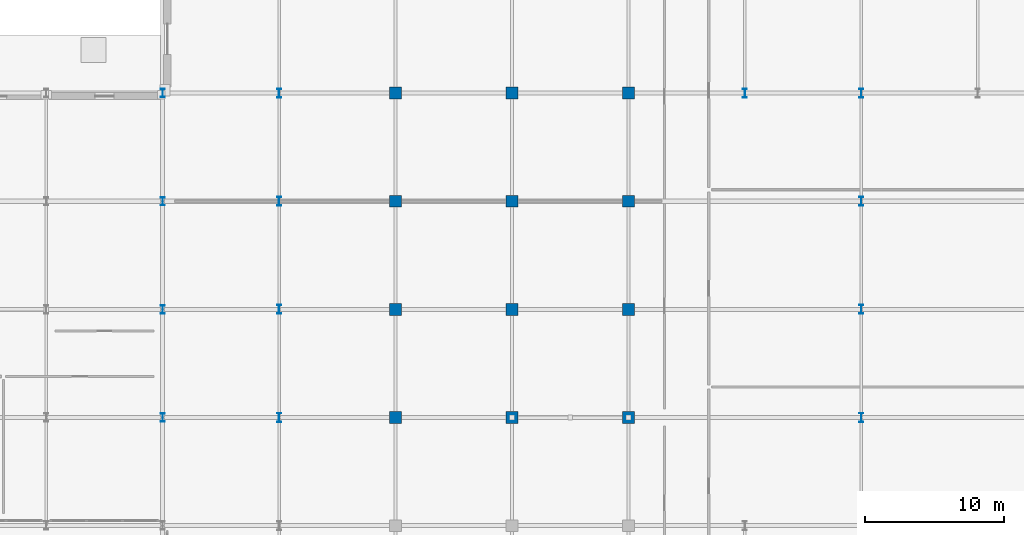
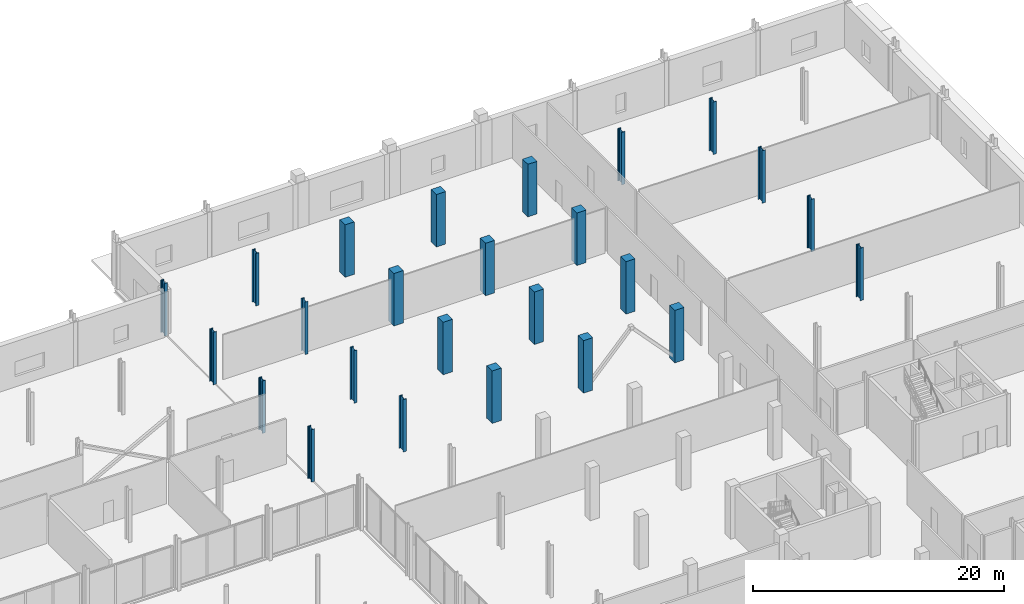
# One storey, part 17 of 80: 25 columns.
"""IFC4 building model written with IfcOpenShell, lengths in metres."""

from ifc_helpers import new_model, si_unit, direction, frame, origin, origin_2d, place, context, subcontext, project, spatial, rectangle, i_section, extrude, material, material_profile, profile_set, type_object, element, save


model = new_model("IFC4")

# Units and contexts
model_context = context("Model", 3, precision=1e-05, world=origin(), true_north=direction((0.0, 1.0)))
body_context = subcontext(model_context, "Body", "Model", "MODEL_VIEW")
ifc_project = project(units=[si_unit("LENGTHUNIT", "METRE"), si_unit("AREAUNIT", "SQUARE_METRE"), si_unit("VOLUMEUNIT", "CUBIC_METRE"), si_unit("PLANEANGLEUNIT", "RADIAN"), si_unit("MASSUNIT", "GRAM", prefix="KILO")], contexts=[model_context])

# Site, building, storey
site_placement = place(None, origin())
site = spatial("IfcSite", under=ifc_project, at=site_placement, CompositionType="ELEMENT")
building_placement = place(site_placement, origin())
building = spatial("IfcBuilding", under=site, at=building_placement, Name="Nabrawat Pavilion Hospital", CompositionType="ELEMENT")
storey_placement = place(building_placement, origin())
storey = spatial("IfcBuildingStorey", under=building, at=storey_placement, Name="L00", CompositionType="ELEMENT", Elevation=0.0)

# Columns
ifc_material_1 = material(Name="Steel S355", Category="steel")
ifc_material_profile_1 = material_profile(ifc_material_1, i_section(OverallWidth=0.300048828125, OverallDepth=0.60009765625, WebThickness=0.015380859375, FlangeThickness=0.030029296875, FilletRadius=0.027099609375, at=origin_2d()), Name="HEB 600")
ifc_profile_set_1 = profile_set([ifc_material_profile_1], Name="Steel S355")
column_type_1 = type_object("IfcColumnType", Name="Composite Steel Column HEB 600", PredefinedType="COLUMN", material=ifc_profile_set_1)
for number, where, z_axis, x_axis, name in (
    (1, (126.0, 93.60009765625, 0.0), (0.0, 0.0, 1.0), (1.0, 0.0, 0.0), "L00 Structural Column G-16A-N"),
    (2, (126.0, 101.39990234375, 0.0), (0.0, 0.0, 1.0), (1.0, 0.0, 0.0), "L00 Structural Column G-16A-P"),
    (3, (126.0, 109.199951171875, 0.0), (0.0, 0.0, 1.0), (1.0, 0.0, 0.0), "L00 Structural Column G-16A-Q"),
    (4, (126.0, 117.0, 0.0), (0.0, 0.0, 1.0), (1.0, 0.0, 0.0), "L00 Structural Column G-16A-R"),
):
    element("IfcColumn", number, at=place(storey_placement, frame(where, z_axis=z_axis, x_axis=x_axis)), inside=storey, type_object=column_type_1, Name=name, PredefinedType="COLUMN", context=body_context, shape_type="SweptSolid", body=[
        extrude(i_section(OverallWidth=0.300048828125, OverallDepth=0.60009765625, WebThickness=0.015380859375, FlangeThickness=0.030029296875, FilletRadius=0.027099609375, at=origin_2d()), origin(), (0.0, 0.0, 1.0), 5.10009765625),
    ])
ifc_material_profile_2 = material_profile(ifc_material_1, i_section(OverallWidth=0.300048828125, OverallDepth=0.64990234375, WebThickness=0.01611328125, FlangeThickness=0.031005859375, FilletRadius=0.027099609375, at=origin_2d()), Name="HEB 650")
ifc_profile_set_2 = profile_set([ifc_material_profile_2], Name="Steel S355")
column_type_2 = type_object("IfcColumnType", Name="Heavy Composite Steel Column HEB 650", PredefinedType="COLUMN", material=ifc_profile_set_2)
for number, where, z_axis, x_axis, name in (
    (5, (134.39990234375, 93.60009765625, 0.0), (0.0, 0.0, 1.0), (1.0, 0.0, 0.0), "L00 Structural Column G-17-N"),
    (6, (134.39990234375, 101.39990234375, 0.0), (0.0, 0.0, 1.0), (1.0, 0.0, 0.0), "L00 Structural Column G-17-P"),
    (7, (134.39990234375, 109.199951171875, 0.0), (0.0, 0.0, 1.0), (1.0, 0.0, 0.0), "L00 Structural Column G-17-Q"),
    (8, (134.39990234375, 117.0, 0.0), (0.0, 0.0, 1.0), (1.0, 0.0, 0.0), "L00 Structural Column G-17-R"),
    (9, (168.0, 117.0, 0.0), (0.0, 0.0, 1.0), (1.0, 0.0, 0.0), "L00 Structural Column G-21-R"),
    (10, (176.39990234375, 93.60009765625, 0.0), (0.0, 0.0, 1.0), (1.0, 0.0, 0.0), "L00 Structural Column G-22-N"),
    (11, (176.39990234375, 101.39990234375, 0.0), (0.0, 0.0, 1.0), (1.0, 0.0, 0.0), "L00 Structural Column G-22-P"),
    (12, (176.39990234375, 109.199951171875, 0.0), (0.0, 0.0, 1.0), (1.0, 0.0, 0.0), "L00 Structural Column G-22-Q"),
    (13, (176.39990234375, 117.0, 0.0), (0.0, 0.0, 1.0), (1.0, 0.0, 0.0), "L00 Structural Column G-22-R"),
):
    element("IfcColumn", number, at=place(storey_placement, frame(where, z_axis=z_axis, x_axis=x_axis)), inside=storey, type_object=column_type_2, Name=name, PredefinedType="COLUMN", context=body_context, shape_type="SweptSolid", body=[
        extrude(i_section(OverallWidth=0.300048828125, OverallDepth=0.64990234375, WebThickness=0.01611328125, FlangeThickness=0.031005859375, FilletRadius=0.027099609375, at=origin_2d()), origin(), (0.0, 0.0, 1.0), 5.10009765625),
    ])
ifc_material_2 = material(Name="Concrete C40/50", Category="concrete")
ifc_material_profile_3 = material_profile(ifc_material_2, rectangle(XDim=0.85009765625, YDim=0.85009765625, at=origin_2d()), Name="RC 850x850")
ifc_profile_set_3 = profile_set([ifc_material_profile_3], Name="Concrete C40/50")
column_type_3 = type_object("IfcColumnType", Name="Lower Ward RC Column 850x850", PredefinedType="COLUMN", material=ifc_profile_set_3)
for number, where, z_axis, x_axis, name in (
    (14, (142.800048828125, 93.60009765625, 0.0), (0.0, 0.0, 1.0), (1.0, 0.0, 0.0), "L00 Structural Column G-18-N"),
    (15, (142.800048828125, 101.39990234375, 0.0), (0.0, 0.0, 1.0), (1.0, 0.0, 0.0), "L00 Structural Column G-18-P"),
    (16, (142.800048828125, 109.199951171875, 0.0), (0.0, 0.0, 1.0), (1.0, 0.0, 0.0), "L00 Structural Column G-18-Q"),
    (17, (142.800048828125, 117.0, 0.0), (0.0, 0.0, 1.0), (1.0, 0.0, 0.0), "L00 Structural Column G-18-R"),
    (18, (151.199951171875, 93.60009765625, 0.0), (0.0, 0.0, 1.0), (1.0, 0.0, 0.0), "L00 Structural Column G-19-N"),
    (19, (151.199951171875, 101.39990234375, 0.0), (0.0, 0.0, 1.0), (1.0, 0.0, 0.0), "L00 Structural Column G-19-P"),
    (20, (151.199951171875, 109.199951171875, 0.0), (0.0, 0.0, 1.0), (1.0, 0.0, 0.0), "L00 Structural Column G-19-Q"),
    (21, (151.199951171875, 117.0, 0.0), (0.0, 0.0, 1.0), (1.0, 0.0, 0.0), "L00 Structural Column G-19-R"),
    (22, (159.60009765625, 93.60009765625, 0.0), (0.0, 0.0, 1.0), (1.0, 0.0, 0.0), "L00 Structural Column G-20-N"),
    (23, (159.60009765625, 101.39990234375, 0.0), (0.0, 0.0, 1.0), (1.0, 0.0, 0.0), "L00 Structural Column G-20-P"),
    (24, (159.60009765625, 109.199951171875, 0.0), (0.0, 0.0, 1.0), (1.0, 0.0, 0.0), "L00 Structural Column G-20-Q"),
    (25, (159.60009765625, 117.0, 0.0), (0.0, 0.0, 1.0), (1.0, 0.0, 0.0), "L00 Structural Column G-20-R"),
):
    element("IfcColumn", number, at=place(storey_placement, frame(where, z_axis=z_axis, x_axis=x_axis)), inside=storey, type_object=column_type_3, Name=name, PredefinedType="COLUMN", context=body_context, shape_type="SweptSolid", body=[
        extrude(rectangle(XDim=0.85009765625, YDim=0.85009765625, at=origin_2d()), origin(), (0.0, 0.0, 1.0), 5.10009765625),
    ])

save(model, "model.ifc")
